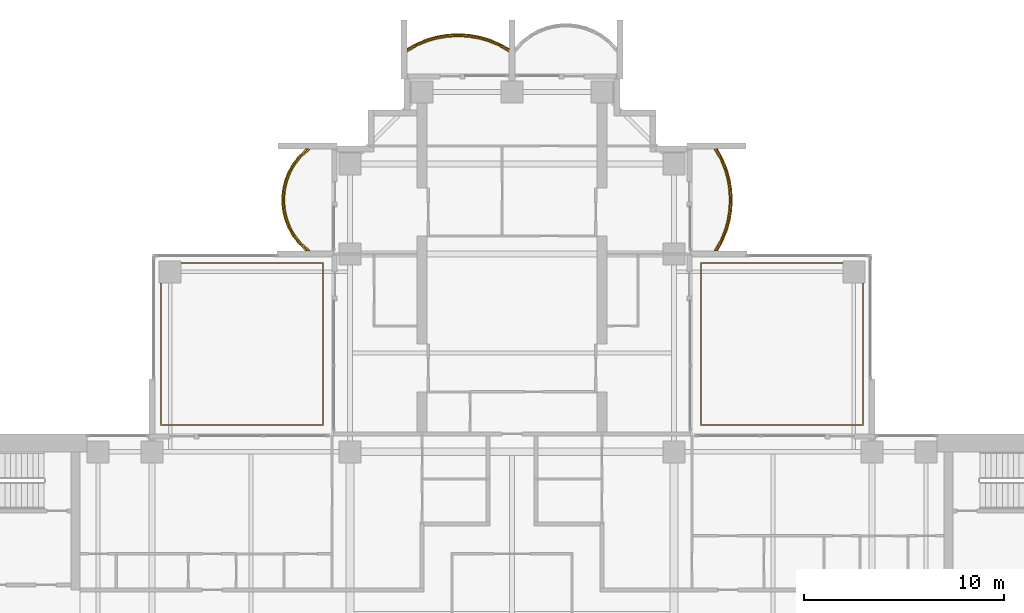
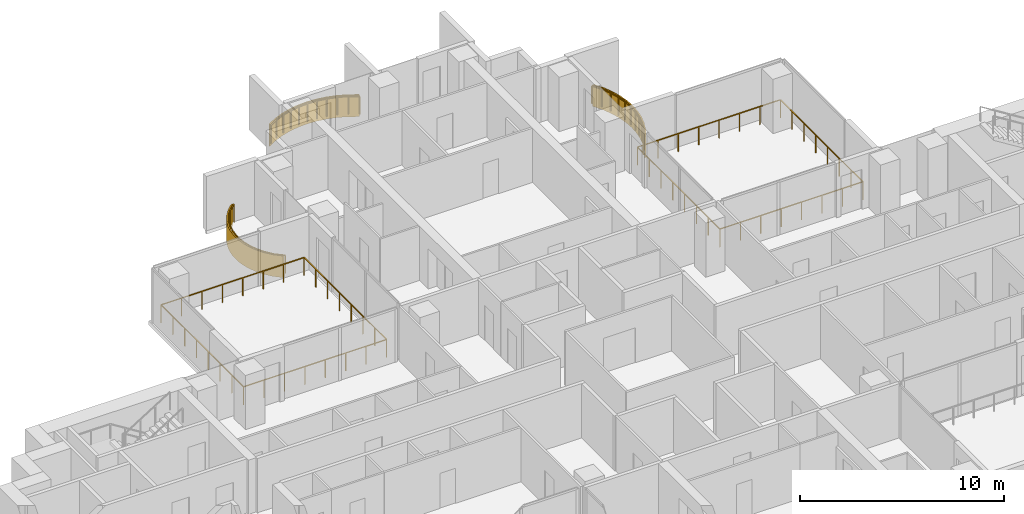
# One storey, part 18 of 19: 5 railings, 3 coverings.
"""IFC4 building model written with IfcOpenShell, lengths in metres."""

from ifc_helpers import new_model, si_unit, direction, frame, origin, origin_2d, place, context, subcontext, project, spatial, polyline, rectangle, outline, extrude, material, layer, layer_set, type_object, element, save


model = new_model("IFC4")

# Units and contexts
model_context = context("Model", 3, precision=1e-05, world=origin(), true_north=direction((0.0, 1.0)))
body_context = subcontext(model_context, "Body", "Model", "MODEL_VIEW")
ifc_project = project(units=[si_unit("LENGTHUNIT", "METRE"), si_unit("AREAUNIT", "SQUARE_METRE"), si_unit("VOLUMEUNIT", "CUBIC_METRE"), si_unit("PLANEANGLEUNIT", "RADIAN"), si_unit("MASSUNIT", "GRAM", prefix="KILO")], contexts=[model_context])

# Site, building, storey
site_placement = place(None, origin())
site = spatial("IfcSite", under=ifc_project, at=site_placement, CompositionType="ELEMENT")
building_placement = place(site_placement, origin())
building = spatial("IfcBuilding", under=site, at=building_placement, Name="Perihelion Cross Residences", CompositionType="ELEMENT")
storey_placement = place(building_placement, frame((0.0, 0.0, 109.39990234375)))
storey = spatial("IfcBuildingStorey", under=building, at=storey_placement, Name="L25", CompositionType="ELEMENT", Elevation=109.39990234375)

# Coverings
ifc_material_1 = material(Name="Bronze anodised aluminium", Category="aluminium")
ifc_layer = layer(ifc_material_1, 0.070068359375)
ifc_layer_set = layer_set([ifc_layer], Name="Balcony fascia 1300")
covering_type = type_object("IfcCoveringType", Name="Balcony fascia 1300", PredefinedType="CLADDING", material=ifc_layer_set)
covering_1_placement = place(storey_placement, frame((0.0, 0.0, -0.199951171875)))
element("IfcCovering", 1, at=covering_1_placement, inside=storey, type_object=covering_type, Name="Fascia BF1 L25 north side east bay 2", PredefinedType="CLADDING", context=body_context, shape_type="SweptSolid", body=[
    extrude(outline(polyline([(10.54833984375, 18.629638671875), (10.7607421875, 19.147216796875), (10.906494140625, 19.664794921875), (10.991943359375, 20.182373046875), (11.02001953125, 20.699951171875), (10.991943359375, 21.217529296875), (10.906494140625, 21.735107421875), (10.7607421875, 22.2529296875), (10.54833984375, 22.7705078125), (10.2802734375, 23.25), (10.199951171875, 23.25), (10.4853515625, 22.739990234375), (10.694580078125, 22.22998046875), (10.838134765625, 21.719970703125), (10.92236328125, 21.2099609375), (10.949951171875, 20.699951171875), (10.92236328125, 20.18994140625), (10.838134765625, 19.679931640625), (10.694580078125, 19.169921875), (10.4853515625, 18.659912109375), (10.199951171875, 18.14990234375), (10.2802734375, 18.14990234375), (10.54833984375, 18.629638671875)])), origin(), (0.0, 0.0, 1.0), 1.300048828125),
])
covering_2_placement = place(storey_placement, frame((0.0, 0.0, -0.199951171875)))
element("IfcCovering", 2, at=covering_2_placement, inside=storey, type_object=covering_type, Name="Fascia BF1 L25 north tip north bay 2", PredefinedType="CLADDING", context=body_context, shape_type="SweptSolid", body=[
    extrude(outline(polyline([(-0.629638671875, 28.54833984375), (-1.147216796875, 28.7607421875), (-1.664794921875, 28.906494140625), (-2.182373046875, 28.991943359375), (-2.699951171875, 29.02001953125), (-3.217529296875, 28.991943359375), (-3.735107421875, 28.906494140625), (-4.2529296875, 28.7607421875), (-4.7705078125, 28.54833984375), (-5.25, 28.2802734375), (-5.25, 28.199951171875), (-4.739990234375, 28.4853515625), (-4.22998046875, 28.694580078125), (-3.719970703125, 28.838134765625), (-3.2099609375, 28.92236328125), (-2.699951171875, 28.949951171875), (-2.18994140625, 28.92236328125), (-1.679931640625, 28.838134765625), (-1.169921875, 28.694580078125), (-0.659912109375, 28.4853515625), (-0.14990234375, 28.199951171875), (-0.14990234375, 28.2802734375), (-0.629638671875, 28.54833984375)])), origin(), (0.0, 0.0, 1.0), 1.300048828125),
])
covering_3_placement = place(storey_placement, frame((0.0, 0.0, -0.199951171875)))
element("IfcCovering", 3, at=covering_3_placement, inside=storey, type_object=covering_type, Name="Fascia BF1 L25 north side west bay 1", PredefinedType="CLADDING", context=body_context, shape_type="SweptSolid", body=[
    extrude(outline(polyline([(-10.674072265625, 22.90478515625), (-10.982666015625, 22.50390625), (-11.20654296875, 22.10302734375), (-11.364013671875, 21.7021484375), (-11.464599609375, 21.30126953125), (-11.513916015625, 20.900390625), (-11.513916015625, 20.49951171875), (-11.464599609375, 20.0986328125), (-11.364013671875, 19.69775390625), (-11.20654296875, 19.296875), (-10.982666015625, 18.89599609375), (-10.674072265625, 18.4951171875), (-10.302734375, 18.14990234375), (-10.199951171875, 18.14990234375), (-10.622314453125, 18.542236328125), (-10.924072265625, 18.9345703125), (-11.143310546875, 19.326904296875), (-11.29736328125, 19.71923828125), (-11.39599609375, 20.111572265625), (-11.444091796875, 20.50390625), (-11.444091796875, 20.896240234375), (-11.39599609375, 21.28857421875), (-11.29736328125, 21.6806640625), (-11.143310546875, 22.072998046875), (-10.924072265625, 22.46533203125), (-10.622314453125, 22.857666015625), (-10.199951171875, 23.25), (-10.302734375, 23.25), (-10.674072265625, 22.90478515625)])), origin(), (0.0, 0.0, 1.0), 1.300048828125),
])

# Railings
ifc_material_2 = material(Name="Bronze anodised aluminium", Category="aluminium")
railing_type = type_object("IfcRailingType", Name="Balcony guard 1100", PredefinedType="GUARDRAIL", material=ifc_material_2)
railing_1_placement = place(storey_placement, frame((10.139892578125, 18.175048828125, 0.0)))
element("IfcRailing", 4, at=railing_1_placement, inside=storey, type_object=railing_type, Name="Guard GU1 L25 north side east bay 2 balcony", PredefinedType="GUARDRAIL", context=body_context, shape_type="SweptSolid", body=[
    extrude(rectangle(XDim=0.048095703125, YDim=0.048095703125, at=origin_2d()), frame((0.0, 0.0, 1.076171875), z_axis=(0.507266632806, 0.861789164031, 0.0), x_axis=(-0.861789164031, 0.507266632806, 0.0)), (0.0, 0.0, 1.0), 0.562744140625),
    extrude(rectangle(XDim=0.048095703125, YDim=0.048095703125, at=origin_2d()), frame((0.285400390625, 0.48486328125, 1.076171875), z_axis=(0.379546636342, 0.925172605972, 0.0), x_axis=(-0.925172605972, 0.379546636342, 0.0)), (0.0, 0.0, 1.0), 0.55126953125),
    extrude(rectangle(XDim=0.048095703125, YDim=0.048095703125, at=origin_2d()), frame((0.49462890625, 0.994873046875, 1.076171875), z_axis=(0.271372618732, 0.962474364231, 0.0), x_axis=(-0.962474364231, 0.271372618732, 0.0)), (0.0, 0.0, 1.0), 0.52978515625),
    extrude(rectangle(XDim=0.048095703125, YDim=0.048095703125, at=origin_2d()), frame((0.638427734375, 1.5048828125, 1.076171875), z_axis=(0.162483799314, 0.986711211531, 0.0), x_axis=(-0.986711211531, 0.162483799314, 0.0)), (0.0, 0.0, 1.0), 0.516845703125),
    extrude(rectangle(XDim=0.048095703125, YDim=0.048095703125, at=origin_2d()), frame((0.722412109375, 2.014892578125, 1.076171875), z_axis=(0.05401390175, 0.998540183677, 0.0), x_axis=(-0.998540183677, 0.05401390175, 0.0)), (0.0, 0.0, 1.0), 0.5107421875),
    extrude(rectangle(XDim=0.048095703125, YDim=0.048095703125, at=origin_2d()), frame((0.75, 2.52490234375, 1.076171875), z_axis=(-0.05401390175, 0.998540183677, 0.0), x_axis=(-0.998540183677, -0.05401390175, 0.0)), (0.0, 0.0, 1.0), 0.5107421875),
    extrude(rectangle(XDim=0.048095703125, YDim=0.048095703125, at=origin_2d()), frame((0.722412109375, 3.034912109375, 1.076171875), z_axis=(-0.162483799314, 0.986711211531, 0.0), x_axis=(-0.986711211531, -0.162483799314, 0.0)), (0.0, 0.0, 1.0), 0.516845703125),
    extrude(rectangle(XDim=0.048095703125, YDim=0.048095703125, at=origin_2d()), frame((0.638427734375, 3.544921875, 1.076171875), z_axis=(-0.271372618732, 0.962474364231, 0.0), x_axis=(-0.962474364231, -0.271372618732, 0.0)), (0.0, 0.0, 1.0), 0.52978515625),
    extrude(rectangle(XDim=0.048095703125, YDim=0.048095703125, at=origin_2d()), frame((0.49462890625, 4.054931640625, 1.076171875), z_axis=(-0.379546636342, 0.925172605972, 0.0), x_axis=(-0.925172605972, -0.379546636342, 0.0)), (0.0, 0.0, 1.0), 0.55126953125),
    extrude(rectangle(XDim=0.048095703125, YDim=0.048095703125, at=origin_2d()), frame((0.285400390625, 4.56494140625, 1.076171875), z_axis=(-0.507076995033, 0.861900760591, 0.0), x_axis=(-0.861900760591, -0.507076995033, 0.0)), (0.0, 0.0, 1.0), 0.562744140625),
    extrude(rectangle(XDim=0.0419921875, YDim=0.0419921875, at=origin_2d()), origin(), (0.0, 0.0, 1.0), 1.052001953125),
    extrude(rectangle(XDim=0.0419921875, YDim=0.0419921875, at=origin_2d()), frame((0.285400390625, 0.48486328125, 0.0)), (0.0, 0.0, 1.0), 1.052001953125),
    extrude(rectangle(XDim=0.0419921875, YDim=0.0419921875, at=origin_2d()), frame((0.49462890625, 0.994873046875, 0.0)), (0.0, 0.0, 1.0), 1.052001953125),
    extrude(rectangle(XDim=0.0419921875, YDim=0.0419921875, at=origin_2d()), frame((0.638427734375, 1.5048828125, 0.0)), (0.0, 0.0, 1.0), 1.052001953125),
    extrude(rectangle(XDim=0.0419921875, YDim=0.0419921875, at=origin_2d()), frame((0.722412109375, 2.014892578125, 0.0)), (0.0, 0.0, 1.0), 1.052001953125),
    extrude(rectangle(XDim=0.0419921875, YDim=0.0419921875, at=origin_2d()), frame((0.75, 2.52490234375, 0.0)), (0.0, 0.0, 1.0), 1.052001953125),
    extrude(rectangle(XDim=0.0419921875, YDim=0.0419921875, at=origin_2d()), frame((0.722412109375, 3.034912109375, 0.0)), (0.0, 0.0, 1.0), 1.052001953125),
    extrude(rectangle(XDim=0.0419921875, YDim=0.0419921875, at=origin_2d()), frame((0.638427734375, 3.544921875, 0.0)), (0.0, 0.0, 1.0), 1.052001953125),
    extrude(rectangle(XDim=0.0419921875, YDim=0.0419921875, at=origin_2d()), frame((0.49462890625, 4.054931640625, 0.0)), (0.0, 0.0, 1.0), 1.052001953125),
    extrude(rectangle(XDim=0.0419921875, YDim=0.0419921875, at=origin_2d()), frame((0.285400390625, 4.56494140625, 0.0)), (0.0, 0.0, 1.0), 1.052001953125),
    extrude(rectangle(XDim=0.0419921875, YDim=0.0419921875, at=origin_2d()), frame((0.0, 5.050048828125, 0.0)), (0.0, 0.0, 1.0), 1.052001953125),
])
railing_2_placement = place(storey_placement, frame((-0.175048828125, 28.139892578125, 0.0)))
element("IfcRailing", 5, at=railing_2_placement, inside=storey, type_object=railing_type, Name="Guard GU1 L25 north tip north bay 2 balcony", PredefinedType="GUARDRAIL", context=body_context, shape_type="SweptSolid", body=[
    extrude(rectangle(XDim=0.048095703125, YDim=0.048095703125, at=origin_2d()), frame((0.0, 0.0, 1.076171875), z_axis=(-0.861789164031, 0.507266632806, 0.0), x_axis=(-0.507266632806, -0.861789164031, 0.0)), (0.0, 0.0, 1.0), 0.562744140625),
    extrude(rectangle(XDim=0.048095703125, YDim=0.048095703125, at=origin_2d()), frame((-0.48486328125, 0.285400390625, 1.076171875), z_axis=(-0.925172605972, 0.379546636342, 0.0), x_axis=(-0.379546636342, -0.925172605972, 0.0)), (0.0, 0.0, 1.0), 0.55126953125),
    extrude(rectangle(XDim=0.048095703125, YDim=0.048095703125, at=origin_2d()), frame((-0.994873046875, 0.49462890625, 1.076171875), z_axis=(-0.962474364231, 0.271372618732, 0.0), x_axis=(-0.271372618732, -0.962474364231, 0.0)), (0.0, 0.0, 1.0), 0.52978515625),
    extrude(rectangle(XDim=0.048095703125, YDim=0.048095703125, at=origin_2d()), frame((-1.5048828125, 0.638427734375, 1.076171875), z_axis=(-0.986711211531, 0.162483799314, 0.0), x_axis=(-0.162483799314, -0.986711211531, 0.0)), (0.0, 0.0, 1.0), 0.516845703125),
    extrude(rectangle(XDim=0.048095703125, YDim=0.048095703125, at=origin_2d()), frame((-2.014892578125, 0.722412109375, 1.076171875), z_axis=(-0.998540183677, 0.05401390175, 0.0), x_axis=(-0.05401390175, -0.998540183677, 0.0)), (0.0, 0.0, 1.0), 0.5107421875),
    extrude(rectangle(XDim=0.048095703125, YDim=0.048095703125, at=origin_2d()), frame((-2.52490234375, 0.75, 1.076171875), z_axis=(-0.998540183677, -0.05401390175, 0.0), x_axis=(0.05401390175, -0.998540183677, 0.0)), (0.0, 0.0, 1.0), 0.5107421875),
    extrude(rectangle(XDim=0.048095703125, YDim=0.048095703125, at=origin_2d()), frame((-3.034912109375, 0.722412109375, 1.076171875), z_axis=(-0.986711211531, -0.162483799314, 0.0), x_axis=(0.162483799314, -0.986711211531, 0.0)), (0.0, 0.0, 1.0), 0.516845703125),
    extrude(rectangle(XDim=0.048095703125, YDim=0.048095703125, at=origin_2d()), frame((-3.544921875, 0.638427734375, 1.076171875), z_axis=(-0.962474364231, -0.271372618732, 0.0), x_axis=(0.271372618732, -0.962474364231, 0.0)), (0.0, 0.0, 1.0), 0.52978515625),
    extrude(rectangle(XDim=0.048095703125, YDim=0.048095703125, at=origin_2d()), frame((-4.054931640625, 0.49462890625, 1.076171875), z_axis=(-0.925172605972, -0.379546636342, 0.0), x_axis=(0.379546636342, -0.925172605972, 0.0)), (0.0, 0.0, 1.0), 0.55126953125),
    extrude(rectangle(XDim=0.048095703125, YDim=0.048095703125, at=origin_2d()), frame((-4.56494140625, 0.285400390625, 1.076171875), z_axis=(-0.861900760591, -0.507076995033, 0.0), x_axis=(0.507076995033, -0.861900760591, 0.0)), (0.0, 0.0, 1.0), 0.562744140625),
    extrude(rectangle(XDim=0.0419921875, YDim=0.0419921875, at=origin_2d()), origin(), (0.0, 0.0, 1.0), 1.052001953125),
    extrude(rectangle(XDim=0.0419921875, YDim=0.0419921875, at=origin_2d()), frame((-0.48486328125, 0.285400390625, 0.0)), (0.0, 0.0, 1.0), 1.052001953125),
    extrude(rectangle(XDim=0.0419921875, YDim=0.0419921875, at=origin_2d()), frame((-0.994873046875, 0.49462890625, 0.0)), (0.0, 0.0, 1.0), 1.052001953125),
    extrude(rectangle(XDim=0.0419921875, YDim=0.0419921875, at=origin_2d()), frame((-1.5048828125, 0.638427734375, 0.0)), (0.0, 0.0, 1.0), 1.052001953125),
    extrude(rectangle(XDim=0.0419921875, YDim=0.0419921875, at=origin_2d()), frame((-2.014892578125, 0.722412109375, 0.0)), (0.0, 0.0, 1.0), 1.052001953125),
    extrude(rectangle(XDim=0.0419921875, YDim=0.0419921875, at=origin_2d()), frame((-2.52490234375, 0.75, 0.0)), (0.0, 0.0, 1.0), 1.052001953125),
    extrude(rectangle(XDim=0.0419921875, YDim=0.0419921875, at=origin_2d()), frame((-3.034912109375, 0.722412109375, 0.0)), (0.0, 0.0, 1.0), 1.052001953125),
    extrude(rectangle(XDim=0.0419921875, YDim=0.0419921875, at=origin_2d()), frame((-3.544921875, 0.638427734375, 0.0)), (0.0, 0.0, 1.0), 1.052001953125),
    extrude(rectangle(XDim=0.0419921875, YDim=0.0419921875, at=origin_2d()), frame((-4.054931640625, 0.49462890625, 0.0)), (0.0, 0.0, 1.0), 1.052001953125),
    extrude(rectangle(XDim=0.0419921875, YDim=0.0419921875, at=origin_2d()), frame((-4.56494140625, 0.285400390625, 0.0)), (0.0, 0.0, 1.0), 1.052001953125),
    extrude(rectangle(XDim=0.0419921875, YDim=0.0419921875, at=origin_2d()), frame((-5.050048828125, 0.0, 0.0)), (0.0, 0.0, 1.0), 1.052001953125),
])
railing_3_placement = place(storey_placement, frame((-10.139892578125, 23.22509765625, 0.0)))
element("IfcRailing", 6, at=railing_3_placement, inside=storey, type_object=railing_type, Name="Guard GU1 L25 north side west bay 1 balcony", PredefinedType="GUARDRAIL", context=body_context, shape_type="SweptSolid", body=[
    extrude(rectangle(XDim=0.048095703125, YDim=0.048095703125, at=origin_2d()), frame((0.0, 0.0, 1.076171875), z_axis=(-0.754464673757, -0.656340655493, 0.0), x_axis=(0.656340655493, -0.754464673757, 0.0)), (0.0, 0.0, 1.0), 0.559814453125),
    extrude(rectangle(XDim=0.048095703125, YDim=0.048095703125, at=origin_2d()), frame((-0.42236328125, -0.367431640625, 1.076171875), z_axis=(-0.60966308455, -0.792660660899, 0.0), x_axis=(0.792660660899, -0.60966308455, 0.0)), (0.0, 0.0, 1.0), 0.494873046875),
    extrude(rectangle(XDim=0.048095703125, YDim=0.048095703125, at=origin_2d()), frame((-0.72412109375, -0.759765625, 1.076171875), z_axis=(-0.487809182674, -0.872950285698, 0.0), x_axis=(0.872950285698, -0.487809182674, 0.0)), (0.0, 0.0, 1.0), 0.449462890625),
    extrude(rectangle(XDim=0.048095703125, YDim=0.048095703125, at=origin_2d()), frame((-0.943359375, -1.152099609375, 1.076171875), z_axis=(-0.365491079925, -0.930814842219, 0.0), x_axis=(0.930814842219, -0.365491079925, 0.0)), (0.0, 0.0, 1.0), 0.42138671875),
    extrude(rectangle(XDim=0.048095703125, YDim=0.048095703125, at=origin_2d()), frame((-1.097412109375, -1.54443359375, 1.076171875), z_axis=(-0.243956193074, -0.969786252666, 0.0), x_axis=(0.969786252666, -0.243956193074, 0.0)), (0.0, 0.0, 1.0), 0.404296875),
    extrude(rectangle(XDim=0.048095703125, YDim=0.048095703125, at=origin_2d()), frame((-1.196044921875, -1.9365234375, 1.076171875), z_axis=(-0.121677797999, -0.992569651699, 0.0), x_axis=(0.992569651699, -0.121677797999, 0.0)), (0.0, 0.0, 1.0), 0.395263671875),
    extrude(rectangle(XDim=0.048095703125, YDim=0.048095703125, at=origin_2d()), frame((-1.244140625, -2.328857421875, 1.076171875), z_axis=(0.0, -1.0, 0.0), x_axis=(1.0, 0.0, 0.0)), (0.0, 0.0, 1.0), 0.392333984375),
    extrude(rectangle(XDim=0.048095703125, YDim=0.048095703125, at=origin_2d()), frame((-1.244140625, -2.72119140625, 1.076171875), z_axis=(0.121677797999, -0.992569651699, 0.0), x_axis=(0.992569651699, 0.121677797999, 0.0)), (0.0, 0.0, 1.0), 0.395263671875),
    extrude(rectangle(XDim=0.048095703125, YDim=0.048095703125, at=origin_2d()), frame((-1.196044921875, -3.113525390625, 1.076171875), z_axis=(0.243813411509, -0.969822159145, 0.0), x_axis=(0.969822159145, 0.243813411509, 0.0)), (0.0, 0.0, 1.0), 0.404541015625),
    extrude(rectangle(XDim=0.048095703125, YDim=0.048095703125, at=origin_2d()), frame((-1.097412109375, -3.505859375, 1.076171875), z_axis=(0.365491079925, -0.930814842219, 0.0), x_axis=(0.930814842219, 0.365491079925, 0.0)), (0.0, 0.0, 1.0), 0.42138671875),
    extrude(rectangle(XDim=0.048095703125, YDim=0.048095703125, at=origin_2d()), frame((-0.943359375, -3.898193359375, 1.076171875), z_axis=(0.487809182674, -0.872950285698, 0.0), x_axis=(0.872950285698, 0.487809182674, 0.0)), (0.0, 0.0, 1.0), 0.449462890625),
    extrude(rectangle(XDim=0.048095703125, YDim=0.048095703125, at=origin_2d()), frame((-0.72412109375, -4.29052734375, 1.076171875), z_axis=(0.60966308455, -0.792660660899, 0.0), x_axis=(0.792660660899, 0.60966308455, 0.0)), (0.0, 0.0, 1.0), 0.494873046875),
    extrude(rectangle(XDim=0.048095703125, YDim=0.048095703125, at=origin_2d()), frame((-0.42236328125, -4.682861328125, 1.076171875), z_axis=(0.754680648599, -0.656092309534, 0.0), x_axis=(0.656092309534, 0.754680648599, 0.0)), (0.0, 0.0, 1.0), 0.5595703125),
    extrude(rectangle(XDim=0.0419921875, YDim=0.0419921875, at=origin_2d()), origin(), (0.0, 0.0, 1.0), 1.052001953125),
    extrude(rectangle(XDim=0.0419921875, YDim=0.0419921875, at=origin_2d()), frame((-0.42236328125, -0.367431640625, 0.0)), (0.0, 0.0, 1.0), 1.052001953125),
    extrude(rectangle(XDim=0.0419921875, YDim=0.0419921875, at=origin_2d()), frame((-0.72412109375, -0.759765625, 0.0)), (0.0, 0.0, 1.0), 1.052001953125),
    extrude(rectangle(XDim=0.0419921875, YDim=0.0419921875, at=origin_2d()), frame((-0.943359375, -1.152099609375, 0.0)), (0.0, 0.0, 1.0), 1.052001953125),
    extrude(rectangle(XDim=0.0419921875, YDim=0.0419921875, at=origin_2d()), frame((-1.097412109375, -1.54443359375, 0.0)), (0.0, 0.0, 1.0), 1.052001953125),
    extrude(rectangle(XDim=0.0419921875, YDim=0.0419921875, at=origin_2d()), frame((-1.196044921875, -1.9365234375, 0.0)), (0.0, 0.0, 1.0), 1.052001953125),
    extrude(rectangle(XDim=0.0419921875, YDim=0.0419921875, at=origin_2d()), frame((-1.244140625, -2.328857421875, 0.0)), (0.0, 0.0, 1.0), 1.052001953125),
    extrude(rectangle(XDim=0.0419921875, YDim=0.0419921875, at=origin_2d()), frame((-1.244140625, -2.72119140625, 0.0)), (0.0, 0.0, 1.0), 1.052001953125),
    extrude(rectangle(XDim=0.0419921875, YDim=0.0419921875, at=origin_2d()), frame((-1.196044921875, -3.113525390625, 0.0)), (0.0, 0.0, 1.0), 1.052001953125),
    extrude(rectangle(XDim=0.0419921875, YDim=0.0419921875, at=origin_2d()), frame((-1.097412109375, -3.505859375, 0.0)), (0.0, 0.0, 1.0), 1.052001953125),
    extrude(rectangle(XDim=0.0419921875, YDim=0.0419921875, at=origin_2d()), frame((-0.943359375, -3.898193359375, 0.0)), (0.0, 0.0, 1.0), 1.052001953125),
    extrude(rectangle(XDim=0.0419921875, YDim=0.0419921875, at=origin_2d()), frame((-0.72412109375, -4.29052734375, 0.0)), (0.0, 0.0, 1.0), 1.052001953125),
    extrude(rectangle(XDim=0.0419921875, YDim=0.0419921875, at=origin_2d()), frame((-0.42236328125, -4.682861328125, 0.0)), (0.0, 0.0, 1.0), 1.052001953125),
    extrude(rectangle(XDim=0.0419921875, YDim=0.0419921875, at=origin_2d()), frame((0.0, -5.050048828125, 0.0)), (0.0, 0.0, 1.0), 1.052001953125),
])
railing_4_placement = place(storey_placement, frame((17.550048828125, 9.449951171875, 0.0)))
element("IfcRailing", 7, at=railing_4_placement, inside=storey, type_object=railing_type, Name="Guard GU1 L25 pocket north-east 1", PredefinedType="GUARDRAIL", context=body_context, shape_type="SweptSolid", body=[
    extrude(rectangle(XDim=0.048095703125, YDim=0.048095703125, at=origin_2d()), frame((0.0, 0.0, 1.076171875), z_axis=(-1.0, 0.0, 0.0), x_axis=(0.0, -1.0, 0.0)), (0.0, 0.0, 1.0), 8.10009765625),
    extrude(rectangle(XDim=0.048095703125, YDim=0.048095703125, at=origin_2d()), frame((-8.10009765625, 0.0, 1.076171875), z_axis=(0.0, 1.0, 0.0), x_axis=(-1.0, 0.0, 0.0)), (0.0, 0.0, 1.0), 8.10009765625),
    extrude(rectangle(XDim=0.048095703125, YDim=0.048095703125, at=origin_2d()), frame((-8.10009765625, 8.10009765625, 1.076171875), z_axis=(1.0, 0.0, 0.0), x_axis=(0.0, 1.0, 0.0)), (0.0, 0.0, 1.0), 8.10009765625),
    extrude(rectangle(XDim=0.048095703125, YDim=0.048095703125, at=origin_2d()), frame((0.0, 8.10009765625, 1.076171875), z_axis=(0.0, -1.0, 0.0), x_axis=(1.0, 0.0, 0.0)), (0.0, 0.0, 1.0), 8.10009765625),
    extrude(rectangle(XDim=0.0419921875, YDim=0.0419921875, at=origin_2d()), origin(), (0.0, 0.0, 1.0), 1.052001953125),
    extrude(rectangle(XDim=0.0419921875, YDim=0.0419921875, at=origin_2d()), frame((-1.1572265625, 0.0, 0.0)), (0.0, 0.0, 1.0), 1.052001953125),
    extrude(rectangle(XDim=0.0419921875, YDim=0.0419921875, at=origin_2d()), frame((-2.314208984375, 0.0, 0.0)), (0.0, 0.0, 1.0), 1.052001953125),
    extrude(rectangle(XDim=0.0419921875, YDim=0.0419921875, at=origin_2d()), frame((-3.471435546875, 0.0, 0.0)), (0.0, 0.0, 1.0), 1.052001953125),
    extrude(rectangle(XDim=0.0419921875, YDim=0.0419921875, at=origin_2d()), frame((-4.628662109375, 0.0, 0.0)), (0.0, 0.0, 1.0), 1.052001953125),
    extrude(rectangle(XDim=0.0419921875, YDim=0.0419921875, at=origin_2d()), frame((-5.785888671875, 0.0, 0.0)), (0.0, 0.0, 1.0), 1.052001953125),
    extrude(rectangle(XDim=0.0419921875, YDim=0.0419921875, at=origin_2d()), frame((-6.94287109375, 0.0, 0.0)), (0.0, 0.0, 1.0), 1.052001953125),
    extrude(rectangle(XDim=0.0419921875, YDim=0.0419921875, at=origin_2d()), frame((-8.10009765625, 0.0, 0.0)), (0.0, 0.0, 1.0), 1.052001953125),
    extrude(rectangle(XDim=0.0419921875, YDim=0.0419921875, at=origin_2d()), frame((-8.10009765625, 1.1572265625, 0.0)), (0.0, 0.0, 1.0), 1.052001953125),
    extrude(rectangle(XDim=0.0419921875, YDim=0.0419921875, at=origin_2d()), frame((-8.10009765625, 2.314208984375, 0.0)), (0.0, 0.0, 1.0), 1.052001953125),
    extrude(rectangle(XDim=0.0419921875, YDim=0.0419921875, at=origin_2d()), frame((-8.10009765625, 3.471435546875, 0.0)), (0.0, 0.0, 1.0), 1.052001953125),
    extrude(rectangle(XDim=0.0419921875, YDim=0.0419921875, at=origin_2d()), frame((-8.10009765625, 4.628662109375, 0.0)), (0.0, 0.0, 1.0), 1.052001953125),
    extrude(rectangle(XDim=0.0419921875, YDim=0.0419921875, at=origin_2d()), frame((-8.10009765625, 5.785888671875, 0.0)), (0.0, 0.0, 1.0), 1.052001953125),
    extrude(rectangle(XDim=0.0419921875, YDim=0.0419921875, at=origin_2d()), frame((-8.10009765625, 6.94287109375, 0.0)), (0.0, 0.0, 1.0), 1.052001953125),
    extrude(rectangle(XDim=0.0419921875, YDim=0.0419921875, at=origin_2d()), frame((-8.10009765625, 8.10009765625, 0.0)), (0.0, 0.0, 1.0), 1.052001953125),
    extrude(rectangle(XDim=0.0419921875, YDim=0.0419921875, at=origin_2d()), frame((-6.94287109375, 8.10009765625, 0.0)), (0.0, 0.0, 1.0), 1.052001953125),
    extrude(rectangle(XDim=0.0419921875, YDim=0.0419921875, at=origin_2d()), frame((-5.785888671875, 8.10009765625, 0.0)), (0.0, 0.0, 1.0), 1.052001953125),
    extrude(rectangle(XDim=0.0419921875, YDim=0.0419921875, at=origin_2d()), frame((-4.628662109375, 8.10009765625, 0.0)), (0.0, 0.0, 1.0), 1.052001953125),
    extrude(rectangle(XDim=0.0419921875, YDim=0.0419921875, at=origin_2d()), frame((-3.471435546875, 8.10009765625, 0.0)), (0.0, 0.0, 1.0), 1.052001953125),
    extrude(rectangle(XDim=0.0419921875, YDim=0.0419921875, at=origin_2d()), frame((-2.314208984375, 8.10009765625, 0.0)), (0.0, 0.0, 1.0), 1.052001953125),
    extrude(rectangle(XDim=0.0419921875, YDim=0.0419921875, at=origin_2d()), frame((-1.1572265625, 8.10009765625, 0.0)), (0.0, 0.0, 1.0), 1.052001953125),
    extrude(rectangle(XDim=0.0419921875, YDim=0.0419921875, at=origin_2d()), frame((0.0, 8.10009765625, 0.0)), (0.0, 0.0, 1.0), 1.052001953125),
    extrude(rectangle(XDim=0.0419921875, YDim=0.0419921875, at=origin_2d()), frame((0.0, 6.94287109375, 0.0)), (0.0, 0.0, 1.0), 1.052001953125),
    extrude(rectangle(XDim=0.0419921875, YDim=0.0419921875, at=origin_2d()), frame((0.0, 5.785888671875, 0.0)), (0.0, 0.0, 1.0), 1.052001953125),
    extrude(rectangle(XDim=0.0419921875, YDim=0.0419921875, at=origin_2d()), frame((0.0, 4.628662109375, 0.0)), (0.0, 0.0, 1.0), 1.052001953125),
    extrude(rectangle(XDim=0.0419921875, YDim=0.0419921875, at=origin_2d()), frame((0.0, 3.471435546875, 0.0)), (0.0, 0.0, 1.0), 1.052001953125),
    extrude(rectangle(XDim=0.0419921875, YDim=0.0419921875, at=origin_2d()), frame((0.0, 2.314208984375, 0.0)), (0.0, 0.0, 1.0), 1.052001953125),
    extrude(rectangle(XDim=0.0419921875, YDim=0.0419921875, at=origin_2d()), frame((0.0, 1.1572265625, 0.0)), (0.0, 0.0, 1.0), 1.052001953125),
])
railing_5_placement = place(storey_placement, frame((-9.449951171875, 9.449951171875, 0.0)))
element("IfcRailing", 8, at=railing_5_placement, inside=storey, type_object=railing_type, Name="Guard GU1 L25 pocket north-west 1", PredefinedType="GUARDRAIL", context=body_context, shape_type="SweptSolid", body=[
    extrude(rectangle(XDim=0.048095703125, YDim=0.048095703125, at=origin_2d()), frame((0.0, 0.0, 1.076171875), z_axis=(-1.0, 0.0, 0.0), x_axis=(0.0, -1.0, 0.0)), (0.0, 0.0, 1.0), 8.10009765625),
    extrude(rectangle(XDim=0.048095703125, YDim=0.048095703125, at=origin_2d()), frame((-8.10009765625, 0.0, 1.076171875), z_axis=(0.0, 1.0, 0.0), x_axis=(-1.0, 0.0, 0.0)), (0.0, 0.0, 1.0), 8.10009765625),
    extrude(rectangle(XDim=0.048095703125, YDim=0.048095703125, at=origin_2d()), frame((-8.10009765625, 8.10009765625, 1.076171875), z_axis=(1.0, 0.0, 0.0), x_axis=(0.0, 1.0, 0.0)), (0.0, 0.0, 1.0), 8.10009765625),
    extrude(rectangle(XDim=0.048095703125, YDim=0.048095703125, at=origin_2d()), frame((0.0, 8.10009765625, 1.076171875), z_axis=(0.0, -1.0, 0.0), x_axis=(1.0, 0.0, 0.0)), (0.0, 0.0, 1.0), 8.10009765625),
    extrude(rectangle(XDim=0.0419921875, YDim=0.0419921875, at=origin_2d()), origin(), (0.0, 0.0, 1.0), 1.052001953125),
    extrude(rectangle(XDim=0.0419921875, YDim=0.0419921875, at=origin_2d()), frame((-1.1572265625, 0.0, 0.0)), (0.0, 0.0, 1.0), 1.052001953125),
    extrude(rectangle(XDim=0.0419921875, YDim=0.0419921875, at=origin_2d()), frame((-2.314208984375, 0.0, 0.0)), (0.0, 0.0, 1.0), 1.052001953125),
    extrude(rectangle(XDim=0.0419921875, YDim=0.0419921875, at=origin_2d()), frame((-3.471435546875, 0.0, 0.0)), (0.0, 0.0, 1.0), 1.052001953125),
    extrude(rectangle(XDim=0.0419921875, YDim=0.0419921875, at=origin_2d()), frame((-4.628662109375, 0.0, 0.0)), (0.0, 0.0, 1.0), 1.052001953125),
    extrude(rectangle(XDim=0.0419921875, YDim=0.0419921875, at=origin_2d()), frame((-5.785888671875, 0.0, 0.0)), (0.0, 0.0, 1.0), 1.052001953125),
    extrude(rectangle(XDim=0.0419921875, YDim=0.0419921875, at=origin_2d()), frame((-6.94287109375, 0.0, 0.0)), (0.0, 0.0, 1.0), 1.052001953125),
    extrude(rectangle(XDim=0.0419921875, YDim=0.0419921875, at=origin_2d()), frame((-8.10009765625, 0.0, 0.0)), (0.0, 0.0, 1.0), 1.052001953125),
    extrude(rectangle(XDim=0.0419921875, YDim=0.0419921875, at=origin_2d()), frame((-8.10009765625, 1.1572265625, 0.0)), (0.0, 0.0, 1.0), 1.052001953125),
    extrude(rectangle(XDim=0.0419921875, YDim=0.0419921875, at=origin_2d()), frame((-8.10009765625, 2.314208984375, 0.0)), (0.0, 0.0, 1.0), 1.052001953125),
    extrude(rectangle(XDim=0.0419921875, YDim=0.0419921875, at=origin_2d()), frame((-8.10009765625, 3.471435546875, 0.0)), (0.0, 0.0, 1.0), 1.052001953125),
    extrude(rectangle(XDim=0.0419921875, YDim=0.0419921875, at=origin_2d()), frame((-8.10009765625, 4.628662109375, 0.0)), (0.0, 0.0, 1.0), 1.052001953125),
    extrude(rectangle(XDim=0.0419921875, YDim=0.0419921875, at=origin_2d()), frame((-8.10009765625, 5.785888671875, 0.0)), (0.0, 0.0, 1.0), 1.052001953125),
    extrude(rectangle(XDim=0.0419921875, YDim=0.0419921875, at=origin_2d()), frame((-8.10009765625, 6.94287109375, 0.0)), (0.0, 0.0, 1.0), 1.052001953125),
    extrude(rectangle(XDim=0.0419921875, YDim=0.0419921875, at=origin_2d()), frame((-8.10009765625, 8.10009765625, 0.0)), (0.0, 0.0, 1.0), 1.052001953125),
    extrude(rectangle(XDim=0.0419921875, YDim=0.0419921875, at=origin_2d()), frame((-6.94287109375, 8.10009765625, 0.0)), (0.0, 0.0, 1.0), 1.052001953125),
    extrude(rectangle(XDim=0.0419921875, YDim=0.0419921875, at=origin_2d()), frame((-5.785888671875, 8.10009765625, 0.0)), (0.0, 0.0, 1.0), 1.052001953125),
    extrude(rectangle(XDim=0.0419921875, YDim=0.0419921875, at=origin_2d()), frame((-4.628662109375, 8.10009765625, 0.0)), (0.0, 0.0, 1.0), 1.052001953125),
    extrude(rectangle(XDim=0.0419921875, YDim=0.0419921875, at=origin_2d()), frame((-3.471435546875, 8.10009765625, 0.0)), (0.0, 0.0, 1.0), 1.052001953125),
    extrude(rectangle(XDim=0.0419921875, YDim=0.0419921875, at=origin_2d()), frame((-2.314208984375, 8.10009765625, 0.0)), (0.0, 0.0, 1.0), 1.052001953125),
    extrude(rectangle(XDim=0.0419921875, YDim=0.0419921875, at=origin_2d()), frame((-1.1572265625, 8.10009765625, 0.0)), (0.0, 0.0, 1.0), 1.052001953125),
    extrude(rectangle(XDim=0.0419921875, YDim=0.0419921875, at=origin_2d()), frame((0.0, 8.10009765625, 0.0)), (0.0, 0.0, 1.0), 1.052001953125),
    extrude(rectangle(XDim=0.0419921875, YDim=0.0419921875, at=origin_2d()), frame((0.0, 6.94287109375, 0.0)), (0.0, 0.0, 1.0), 1.052001953125),
    extrude(rectangle(XDim=0.0419921875, YDim=0.0419921875, at=origin_2d()), frame((0.0, 5.785888671875, 0.0)), (0.0, 0.0, 1.0), 1.052001953125),
    extrude(rectangle(XDim=0.0419921875, YDim=0.0419921875, at=origin_2d()), frame((0.0, 4.628662109375, 0.0)), (0.0, 0.0, 1.0), 1.052001953125),
    extrude(rectangle(XDim=0.0419921875, YDim=0.0419921875, at=origin_2d()), frame((0.0, 3.471435546875, 0.0)), (0.0, 0.0, 1.0), 1.052001953125),
    extrude(rectangle(XDim=0.0419921875, YDim=0.0419921875, at=origin_2d()), frame((0.0, 2.314208984375, 0.0)), (0.0, 0.0, 1.0), 1.052001953125),
    extrude(rectangle(XDim=0.0419921875, YDim=0.0419921875, at=origin_2d()), frame((0.0, 1.1572265625, 0.0)), (0.0, 0.0, 1.0), 1.052001953125),
])

save(model, "model.ifc")
